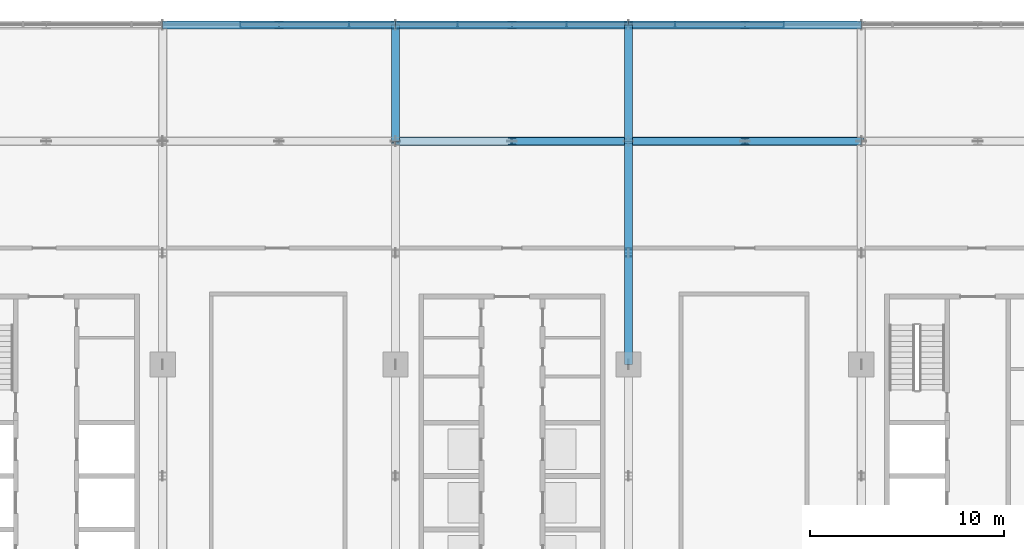
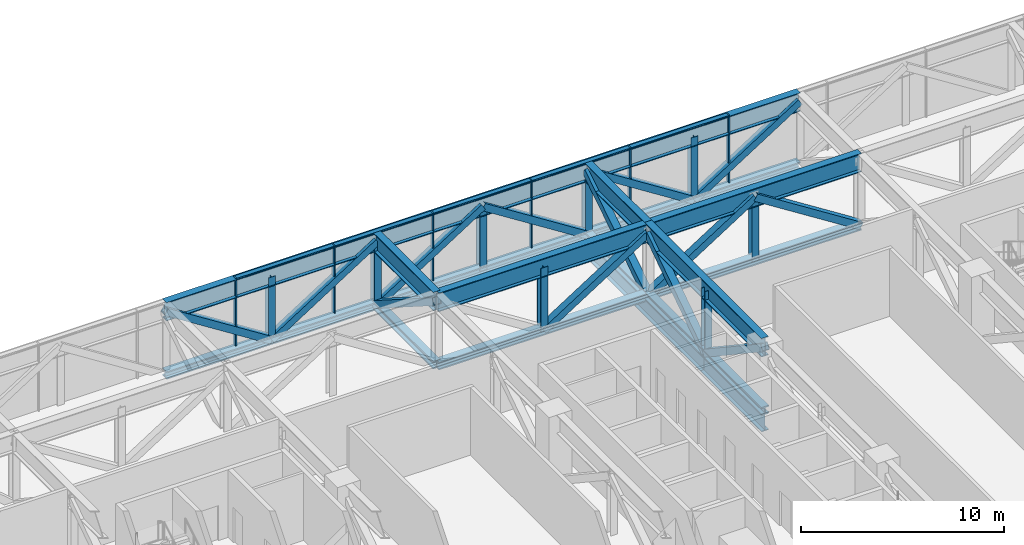
# One storey, part 9 of 30: 48 members, 2 beams, 1 element without a shape of its own.
"""IFC4 building model written with IfcOpenShell, lengths in metres."""

from ifc_helpers import new_model, si_unit, direction, frame, origin, origin_2d, place, context, subcontext, project, spatial, rectangle, hollow_rectangle, i_section, extrude, material, material_profile, profile_set, type_object, element, aggregate, save


model = new_model("IFC4")

# Units and contexts
model_context = context("Model", 3, precision=1e-05, world=origin(), true_north=direction((0.0, 1.0)))
body_context = subcontext(model_context, "Body", "Model", "MODEL_VIEW")
ifc_project = project(units=[si_unit("LENGTHUNIT", "METRE"), si_unit("AREAUNIT", "SQUARE_METRE"), si_unit("VOLUMEUNIT", "CUBIC_METRE"), si_unit("PLANEANGLEUNIT", "RADIAN"), si_unit("MASSUNIT", "GRAM", prefix="KILO")], contexts=[model_context])

# Site, building, storey
site_placement = place(None, origin())
site = spatial("IfcSite", under=ifc_project, at=site_placement, CompositionType="ELEMENT")
building_placement = place(site_placement, origin())
building = spatial("IfcBuilding", under=site, at=building_placement, Name="Mahtab Terrace Research Tower", CompositionType="ELEMENT")
storey_placement = place(building_placement, frame((0.0, 0.0, 154.800048828125)))
storey = spatial("IfcBuildingStorey", under=building, at=storey_placement, Name="L36", CompositionType="ELEMENT", Elevation=154.800048828125)

# Members
ifc_material_1 = material(Name="Steel ASTM A500 Gr C", Category="steel")
ifc_material_profile_1 = material_profile(ifc_material_1, hollow_rectangle(XDim=0.406494140625, YDim=0.406494140625, WallThickness=0.015869140625, at=origin_2d()), Name="HSS16X16X5/8")
ifc_profile_set_1 = profile_set([ifc_material_profile_1], Name="Steel ASTM A500 Gr C")
member_type_1 = type_object("IfcMemberType", Name="HSS 16x16x5/8 brace TD161658", PredefinedType="BRACE", material=ifc_profile_set_1)
for number, where, z_axis, x_axis, name in (
    (1, (-12.0, 29.0, -0.317626953125), (-0.843619081223, 0.0, 0.536942125183), (0.0, -1.0, 0.0), "Transfer truss T4 diagonal 048"),
    (2, (-12.0, 29.0, -0.317626953125), (0.843619081223, 0.0, 0.536942125183), (0.0, 1.0, 0.0), "Transfer truss T4 diagonal 051"),
    (3, (-6.0, 29.0, -0.317626953125), (0.0, -0.843619081223, 0.536942125183), (1.0, 0.0, 0.0), "Transfer truss T4 diagonal 062"),
    (4, (-6.0, 29.0, -0.317626953125), (0.843619081223, 0.0, 0.536942125183), (0.0, 1.0, 0.0), "Transfer truss T4 diagonal 063"),
    (5, (6.0, 29.0, -0.317626953125), (-0.843619081223, 0.0, 0.536942125183), (0.0, -1.0, 0.0), "Transfer truss T4 diagonal 066"),
):
    element("IfcMember", number, at=place(storey_placement, frame(where, z_axis=z_axis, x_axis=x_axis)), inside=storey, type_object=member_type_1, Name=name, PredefinedType="BRACE", context=body_context, shape_type="SweptSolid", body=[
        extrude(hollow_rectangle(XDim=0.406494140625, YDim=0.406494140625, WallThickness=0.015869140625, at=origin_2d()), origin(), (0.0, 0.0, 1.0), 7.1123046875),
    ])
for number, where, z_axis, x_axis, name in (
    (6, (6.0, 17.25, -0.317626953125), (0.0, -0.833017600398, 0.553246488852), (1.0, 0.0, 0.0), "Transfer truss T4 diagonal 074"),
    (7, (6.0, 17.25, -0.317626953125), (0.0, 0.833017600398, 0.553246488852), (-1.0, 0.0, 0.0), "Transfer truss T4 diagonal 075"),
):
    element("IfcMember", number, at=place(storey_placement, frame(where, z_axis=z_axis, x_axis=x_axis)), inside=storey, type_object=member_type_1, Name=name, PredefinedType="BRACE", context=body_context, shape_type="SweptSolid", body=[
        extrude(hollow_rectangle(XDim=0.406494140625, YDim=0.406494140625, WallThickness=0.015869140625, at=origin_2d()), origin(), (0.0, 0.0, 1.0), 6.902587890625),
    ])
for number, where, z_axis, x_axis, name in (
    (8, (0.0, 23.0, -0.317626953125), (0.843619081223, 0.0, 0.536942125183), (0.0, 1.0, 0.0), "Transfer truss T4 diagonal 076"),
    (9, (6.0, 23.0, -0.317626953125), (0.0, 0.843619081223, 0.536942125183), (-1.0, 0.0, 0.0), "Transfer truss T4 diagonal 077"),
    (10, (12.0, 29.0, -0.317626953125), (-0.843619081223, 0.0, 0.536942125183), (0.0, -1.0, 0.0), "Transfer truss T4 diagonal 078"),
    (11, (6.0, 23.0, -0.317626953125), (0.843619081223, 0.0, 0.536942125183), (0.0, 1.0, 0.0), "Transfer truss T4 diagonal 080"),
    (12, (12.0, 29.0, -0.317626953125), (0.843619081223, 0.0, 0.536942125183), (0.0, 1.0, 0.0), "Transfer truss T4 diagonal 081"),
    (13, (18.0, 23.0, -0.317626953125), (-0.843619081223, 0.0, 0.536942125183), (0.0, -1.0, 0.0), "Transfer truss T4 diagonal 091"),
):
    element("IfcMember", number, at=place(storey_placement, frame(where, z_axis=z_axis, x_axis=x_axis)), inside=storey, type_object=member_type_1, Name=name, PredefinedType="BRACE", context=body_context, shape_type="SweptSolid", body=[
        extrude(hollow_rectangle(XDim=0.406494140625, YDim=0.406494140625, WallThickness=0.015869140625, at=origin_2d()), origin(), (0.0, 0.0, 1.0), 7.1123046875),
    ])

# Curtain wall, members
ifc_material_2 = material(Name="Sky lounge full-height curtain wall")
curtain_wall_type = type_object("IfcCurtainWallType", Name="Sky lounge full-height curtain wall", PredefinedType="NOTDEFINED", material=ifc_material_2)
curtain_wall_placement = place(storey_placement, origin())
curtain_wall = element("IfcCurtainWall", 14, at=curtain_wall_placement, inside=storey, type_object=curtain_wall_type, Name="EN.L36.5.0", PredefinedType="NOTDEFINED")
ifc_material_3 = material(Name="Natural anodised aluminium", Category="aluminium")
ifc_material_profile_2 = material_profile(ifc_material_3, rectangle(XDim=0.25, YDim=0.070068359375, at=origin_2d()), Name="MULLION 70x250")
ifc_profile_set_2 = profile_set([ifc_material_profile_2], Name="Natural anodised aluminium")
member_type_2 = type_object("IfcMemberType", Name="Sky lounge full-height curtain wall mullion", PredefinedType="MULLION", material=ifc_profile_set_2)
member_1_placement = place(storey_placement, frame((14.0, 29.0, 0.0), z_axis=(0.0, 0.0, 1.0), x_axis=(0.0, -1.0, 0.0)))
member_1 = element("IfcMember", 15, at=member_1_placement, type_object=member_type_2, Name="CWS-T4 mullion 6", PredefinedType="MULLION", context=body_context, shape_type="SweptSolid", body=[
    extrude(rectangle(XDim=0.25, YDim=0.070068359375, at=origin_2d()), origin(), (0.0, 0.0, 1.0), 4.06005859375),
])
member_2_placement = place(storey_placement, frame((8.39990234375, 29.0, 0.0), z_axis=(0.0, 0.0, 1.0), x_axis=(0.0, -1.0, 0.0)))
member_2 = element("IfcMember", 16, at=member_2_placement, type_object=member_type_2, Name="CWS-T4 mullion 7", PredefinedType="MULLION", context=body_context, shape_type="SweptSolid", body=[
    extrude(rectangle(XDim=0.25, YDim=0.070068359375, at=origin_2d()), origin(), (0.0, 0.0, 1.0), 4.06005859375),
])
member_3_placement = place(storey_placement, frame((2.800048828125, 29.0, 0.0), z_axis=(0.0, 0.0, 1.0), x_axis=(0.0, -1.0, 0.0)))
member_3 = element("IfcMember", 17, at=member_3_placement, type_object=member_type_2, Name="CWS-T4 mullion 8", PredefinedType="MULLION", context=body_context, shape_type="SweptSolid", body=[
    extrude(rectangle(XDim=0.25, YDim=0.070068359375, at=origin_2d()), origin(), (0.0, 0.0, 1.0), 4.06005859375),
])
member_4_placement = place(storey_placement, frame((-2.800048828125, 29.0, 0.0), z_axis=(0.0, 0.0, 1.0), x_axis=(0.0, -1.0, 0.0)))
member_4 = element("IfcMember", 18, at=member_4_placement, type_object=member_type_2, Name="CWS-T4 mullion 9", PredefinedType="MULLION", context=body_context, shape_type="SweptSolid", body=[
    extrude(rectangle(XDim=0.25, YDim=0.070068359375, at=origin_2d()), origin(), (0.0, 0.0, 1.0), 4.06005859375),
])
member_5_placement = place(storey_placement, frame((-8.39990234375, 29.0, 0.0), z_axis=(0.0, 0.0, 1.0), x_axis=(0.0, -1.0, 0.0)))
member_5 = element("IfcMember", 19, at=member_5_placement, type_object=member_type_2, Name="CWS-T4 mullion 10", PredefinedType="MULLION", context=body_context, shape_type="SweptSolid", body=[
    extrude(rectangle(XDim=0.25, YDim=0.070068359375, at=origin_2d()), origin(), (0.0, 0.0, 1.0), 4.06005859375),
])
member_6_placement = place(storey_placement, frame((-14.0, 29.0, 0.0), z_axis=(0.0, 0.0, 1.0), x_axis=(0.0, -1.0, 0.0)))
member_6 = element("IfcMember", 20, at=member_6_placement, type_object=member_type_2, Name="CWS-T4 mullion 11", PredefinedType="MULLION", context=body_context, shape_type="SweptSolid", body=[
    extrude(rectangle(XDim=0.25, YDim=0.070068359375, at=origin_2d()), origin(), (0.0, 0.0, 1.0), 4.06005859375),
])
ifc_material_profile_3 = material_profile(ifc_material_3, rectangle(XDim=0.25, YDim=0.1201171875, at=origin_2d()), Name="TRANSOM 120x250")
ifc_profile_set_3 = profile_set([ifc_material_profile_3], Name="Natural anodised aluminium")
member_type_3 = type_object("IfcMemberType", Name="Sky lounge full-height curtain wall transom", PredefinedType="USERDEFINED", material=ifc_profile_set_3)
member_7_placement = place(storey_placement, frame((13.965087890625, 29.0, 4.0), z_axis=(-1.0, 0.0, 0.0), x_axis=(0.0, -1.0, 0.0)))
member_7 = element("IfcMember", 21, at=member_7_placement, type_object=member_type_3, Name="CWS-T4 transom 6", ObjectType="TRANSOM", PredefinedType="USERDEFINED", context=body_context, shape_type="SweptSolid", body=[
    extrude(rectangle(XDim=0.25, YDim=0.1201171875, at=origin_2d()), origin(), (0.0, 0.0, 1.0), 5.530029296875),
])
member_8_placement = place(storey_placement, frame((8.364990234375, 29.0, 4.0), z_axis=(-1.0, 0.0, 0.0), x_axis=(0.0, -1.0, 0.0)))
member_8 = element("IfcMember", 22, at=member_8_placement, type_object=member_type_3, Name="CWS-T4 transom 7", ObjectType="TRANSOM", PredefinedType="USERDEFINED", context=body_context, shape_type="SweptSolid", body=[
    extrude(rectangle(XDim=0.25, YDim=0.1201171875, at=origin_2d()), origin(), (0.0, 0.0, 1.0), 5.530029296875),
])
member_9_placement = place(storey_placement, frame((2.764892578125, 29.0, 4.0), z_axis=(-1.0, 0.0, 0.0), x_axis=(0.0, -1.0, 0.0)))
member_9 = element("IfcMember", 23, at=member_9_placement, type_object=member_type_3, Name="CWS-T4 transom 8", ObjectType="TRANSOM", PredefinedType="USERDEFINED", context=body_context, shape_type="SweptSolid", body=[
    extrude(rectangle(XDim=0.25, YDim=0.1201171875, at=origin_2d()), origin(), (0.0, 0.0, 1.0), 5.52978515625),
])
member_10_placement = place(storey_placement, frame((-2.8349609375, 29.0, 4.0), z_axis=(-1.0, 0.0, 0.0), x_axis=(0.0, -1.0, 0.0)))
member_10 = element("IfcMember", 24, at=member_10_placement, type_object=member_type_3, Name="CWS-T4 transom 9", ObjectType="TRANSOM", PredefinedType="USERDEFINED", context=body_context, shape_type="SweptSolid", body=[
    extrude(rectangle(XDim=0.25, YDim=0.1201171875, at=origin_2d()), origin(), (0.0, 0.0, 1.0), 5.530029296875),
])
member_11_placement = place(storey_placement, frame((-8.43505859375, 29.0, 4.0), z_axis=(-1.0, 0.0, 0.0), x_axis=(0.0, -1.0, 0.0)))
member_11 = element("IfcMember", 25, at=member_11_placement, type_object=member_type_3, Name="CWS-T4 transom 10", ObjectType="TRANSOM", PredefinedType="USERDEFINED", context=body_context, shape_type="SweptSolid", body=[
    extrude(rectangle(XDim=0.25, YDim=0.1201171875, at=origin_2d()), origin(), (0.0, 0.0, 1.0), 5.530029296875),
])
aggregate(curtain_wall, [member_1, member_2, member_3, member_4, member_5, member_6, member_7, member_8, member_9, member_10, member_11])

# Members
ifc_material_4 = material(Name="Steel ASTM A992 Gr 50", Category="steel")
ifc_material_profile_4 = material_profile(ifc_material_4, i_section(OverallWidth=0.396240234375, OverallDepth=0.381103515625, WebThickness=0.018798828125, FlangeThickness=0.0302734375, at=origin_2d()), Name="W14X159")
ifc_profile_set_4 = profile_set([ifc_material_profile_4], Name="Steel ASTM A992 Gr 50")
member_type_4 = type_object("IfcMemberType", Name="W14x159 post TP14159", PredefinedType="POST", material=ifc_profile_set_4)
for number, where, z_axis, x_axis, name in (
    (26, (-12.0, 29.0, -0.317626953125), (0.0, 0.0, 1.0), (1.0, 0.0, 0.0), "Transfer truss T4 post 047"),
    (27, (-6.0, 29.0, -0.317626953125), (0.0, 0.0, 1.0), (1.0, 0.0, 0.0), "Transfer truss T4 post 057"),
    (28, (0.0, 23.0, -0.317626953125), (0.0, 0.0, 1.0), (1.0, 0.0, 0.0), "Transfer truss T4 post 059"),
    (29, (0.0, 29.0, -0.317626953125), (0.0, 0.0, 1.0), (1.0, 0.0, 0.0), "Transfer truss T4 post 060"),
    (30, (6.0, 17.25, -0.317626953125), (0.0, 0.0, 1.0), (1.0, 0.0, 0.0), "Transfer truss T4 post 068"),
    (31, (6.0, 29.0, -0.317626953125), (0.0, 0.0, 1.0), (1.0, 0.0, 0.0), "Transfer truss T4 post 070"),
    (32, (12.0, 23.0, -0.317626953125), (0.0, 0.0, 1.0), (1.0, 0.0, 0.0), "Transfer truss T4 post 072"),
    (33, (12.0, 29.0, -0.317626953125), (0.0, 0.0, 1.0), (1.0, 0.0, 0.0), "Transfer truss T4 post 073"),
):
    element("IfcMember", number, at=place(storey_placement, frame(where, z_axis=z_axis, x_axis=x_axis)), inside=storey, type_object=member_type_4, Name=name, PredefinedType="POST", context=body_context, shape_type="SweptSolid", body=[
        extrude(i_section(OverallWidth=0.396240234375, OverallDepth=0.381103515625, WebThickness=0.018798828125, FlangeThickness=0.0302734375, at=origin_2d()), origin(), (0.0, 0.0, 1.0), 3.81884765625),
    ])
ifc_material_profile_5 = material_profile(ifc_material_4, i_section(OverallWidth=0.421630859375, OverallDepth=0.46484375, WebThickness=0.044921875, FlangeThickness=0.072509765625, at=origin_2d()), Name="W14X398")
ifc_profile_set_5 = profile_set([ifc_material_profile_5], Name="Steel ASTM A992 Gr 50")
member_type_5 = type_object("IfcMemberType", Name="W14x398 chord TC14398", PredefinedType="CHORD", material=ifc_profile_set_5)
for number, where, z_axis, x_axis, name in (
    (34, (18.0, 23.0, -0.317626953125), (-1.0, 0.0, 0.0), (0.0, -1.0, 0.0), "Transfer truss T4 bottom chord 010"),
    (35, (6.0, 23.0, -0.317626953125), (-1.0, 0.0, 0.0), (0.0, -1.0, 0.0), "Transfer truss T4 bottom chord 011"),
    (36, (-18.0, 29.0, -0.317626953125), (1.0, 0.0, 0.0), (0.0, 1.0, 0.0), "Transfer truss T4 bottom chord 028"),
    (37, (-6.0, 29.0, -0.317626953125), (1.0, 0.0, 0.0), (0.0, 1.0, 0.0), "Transfer truss T4 bottom chord 029"),
    (38, (6.0, 29.0, -0.317626953125), (1.0, 0.0, 0.0), (0.0, 1.0, 0.0), "Transfer truss T4 bottom chord 030"),
):
    element("IfcMember", number, at=place(storey_placement, frame(where, z_axis=z_axis, x_axis=x_axis)), inside=storey, type_object=member_type_5, Name=name, PredefinedType="CHORD", context=body_context, shape_type="SweptSolid", body=[
        extrude(i_section(OverallWidth=0.421630859375, OverallDepth=0.46484375, WebThickness=0.044921875, FlangeThickness=0.072509765625, at=origin_2d()), origin(), (0.0, 0.0, 1.0), 12.0),
    ])
member_12_placement = place(storey_placement, frame((-6.0, 23.0, -0.317626953125), z_axis=(0.0, 1.0, 0.0), x_axis=(-1.0, 0.0, 0.0)))
element("IfcMember", 39, at=member_12_placement, inside=storey, type_object=member_type_5, Name="Transfer truss T4 bottom chord 050", PredefinedType="CHORD", context=body_context, shape_type="SweptSolid", body=[
    extrude(i_section(OverallWidth=0.421630859375, OverallDepth=0.46484375, WebThickness=0.044921875, FlangeThickness=0.072509765625, at=origin_2d()), origin(), (0.0, 0.0, 1.0), 6.0),
])
member_13_placement = place(storey_placement, frame((6.0, 11.5, -0.317626953125), z_axis=(0.0, 1.0, 0.0), x_axis=(-1.0, 0.0, 0.0)))
element("IfcMember", 40, at=member_13_placement, inside=storey, type_object=member_type_5, Name="Transfer truss T4 bottom chord 055", PredefinedType="CHORD", context=body_context, shape_type="SweptSolid", body=[
    extrude(i_section(OverallWidth=0.421630859375, OverallDepth=0.46484375, WebThickness=0.044921875, FlangeThickness=0.072509765625, at=origin_2d()), origin(), (0.0, 0.0, 1.0), 11.5),
])
member_14_placement = place(storey_placement, frame((6.0, 23.0, -0.317626953125), z_axis=(0.0, 1.0, 0.0), x_axis=(-1.0, 0.0, 0.0)))
element("IfcMember", 41, at=member_14_placement, inside=storey, type_object=member_type_5, Name="Transfer truss T4 bottom chord 056", PredefinedType="CHORD", context=body_context, shape_type="SweptSolid", body=[
    extrude(i_section(OverallWidth=0.421630859375, OverallDepth=0.46484375, WebThickness=0.044921875, FlangeThickness=0.072509765625, at=origin_2d()), origin(), (0.0, 0.0, 1.0), 6.0),
])

# Beams
ifc_material_profile_6 = material_profile(ifc_material_4, i_section(OverallWidth=0.4013671875, OverallDepth=1.000732421875, WebThickness=0.01904296875, FlangeThickness=0.0361328125, at=origin_2d()), Name="W40X249")
ifc_profile_set_6 = profile_set([ifc_material_profile_6], Name="Steel ASTM A992 Gr 50")
beam_type = type_object("IfcBeamType", Name="W40x249 transfer girder TG40249", PredefinedType="BEAM", material=ifc_profile_set_6)
beam_1_placement = place(storey_placement, frame((6.0, 11.5, -1.04833984375), z_axis=(0.0, 1.0, 0.0), x_axis=(-1.0, 0.0, 0.0)))
element("IfcBeam", 42, at=beam_1_placement, inside=storey, type_object=beam_type, Name="Transfer girder T4 11", PredefinedType="BEAM", context=body_context, shape_type="SweptSolid", body=[
    extrude(i_section(OverallWidth=0.4013671875, OverallDepth=1.000732421875, WebThickness=0.01904296875, FlangeThickness=0.0361328125, at=origin_2d()), origin(), (0.0, 0.0, 1.0), 6.0),
])
beam_2_placement = place(storey_placement, frame((6.0, 17.5, -1.04833984375), z_axis=(0.0, 1.0, 0.0), x_axis=(-1.0, 0.0, 0.0)))
element("IfcBeam", 43, at=beam_2_placement, inside=storey, type_object=beam_type, Name="Transfer girder T4 12", PredefinedType="BEAM", context=body_context, shape_type="SweptSolid", body=[
    extrude(i_section(OverallWidth=0.4013671875, OverallDepth=1.000732421875, WebThickness=0.01904296875, FlangeThickness=0.0361328125, at=origin_2d()), origin(), (0.0, 0.0, 1.0), 11.5),
])

# Members
ifc_material_profile_7 = material_profile(ifc_material_4, i_section(OverallWidth=0.40380859375, OverallDepth=1.11767578125, WebThickness=0.026123046875, FlangeThickness=0.044921875, at=origin_2d()), Name="W44X335")
ifc_profile_set_7 = profile_set([ifc_material_profile_7], Name="Steel ASTM A992 Gr 50")
member_type_6 = type_object("IfcMemberType", Name="W44x335 chord TT44335", PredefinedType="CHORD", material=ifc_profile_set_7)
for number, where, z_axis, x_axis, name in (
    (44, (18.0, 23.0, 3.501220703125), (-1.0, 0.0, 0.0), (0.0, -1.0, 0.0), "Transfer truss T4 top chord 009"),
    (45, (6.0, 23.0, 3.501220703125), (-1.0, 0.0, 0.0), (0.0, -1.0, 0.0), "Transfer truss T4 top chord 010"),
    (46, (-18.0, 29.0, 3.501220703125), (1.0, 0.0, 0.0), (0.0, 1.0, 0.0), "Transfer truss T4 top chord 027"),
    (47, (-6.0, 29.0, 3.501220703125), (1.0, 0.0, 0.0), (0.0, 1.0, 0.0), "Transfer truss T4 top chord 028"),
    (48, (6.0, 29.0, 3.501220703125), (1.0, 0.0, 0.0), (0.0, 1.0, 0.0), "Transfer truss T4 top chord 029"),
):
    element("IfcMember", number, at=place(storey_placement, frame(where, z_axis=z_axis, x_axis=x_axis)), inside=storey, type_object=member_type_6, Name=name, PredefinedType="CHORD", context=body_context, shape_type="SweptSolid", body=[
        extrude(i_section(OverallWidth=0.40380859375, OverallDepth=1.11767578125, WebThickness=0.026123046875, FlangeThickness=0.044921875, at=origin_2d()), origin(), (0.0, 0.0, 1.0), 12.0),
    ])
member_15_placement = place(storey_placement, frame((-6.0, 23.0, 3.501220703125), z_axis=(0.0, 1.0, 0.0), x_axis=(-1.0, 0.0, 0.0)))
element("IfcMember", 49, at=member_15_placement, inside=storey, type_object=member_type_6, Name="Transfer truss T4 top chord 049", PredefinedType="CHORD", context=body_context, shape_type="SweptSolid", body=[
    extrude(i_section(OverallWidth=0.40380859375, OverallDepth=1.11767578125, WebThickness=0.026123046875, FlangeThickness=0.044921875, at=origin_2d()), origin(), (0.0, 0.0, 1.0), 6.0),
])
member_16_placement = place(storey_placement, frame((6.0, 11.5, 3.501220703125), z_axis=(0.0, 1.0, 0.0), x_axis=(-1.0, 0.0, 0.0)))
element("IfcMember", 50, at=member_16_placement, inside=storey, type_object=member_type_6, Name="Transfer truss T4 top chord 054", PredefinedType="CHORD", context=body_context, shape_type="SweptSolid", body=[
    extrude(i_section(OverallWidth=0.40380859375, OverallDepth=1.11767578125, WebThickness=0.026123046875, FlangeThickness=0.044921875, at=origin_2d()), origin(), (0.0, 0.0, 1.0), 11.5),
])
member_17_placement = place(storey_placement, frame((6.0, 23.0, 3.501220703125), z_axis=(0.0, 1.0, 0.0), x_axis=(-1.0, 0.0, 0.0)))
element("IfcMember", 51, at=member_17_placement, inside=storey, type_object=member_type_6, Name="Transfer truss T4 top chord 055", PredefinedType="CHORD", context=body_context, shape_type="SweptSolid", body=[
    extrude(i_section(OverallWidth=0.40380859375, OverallDepth=1.11767578125, WebThickness=0.026123046875, FlangeThickness=0.044921875, at=origin_2d()), origin(), (0.0, 0.0, 1.0), 6.0),
])

save(model, "model.ifc")
